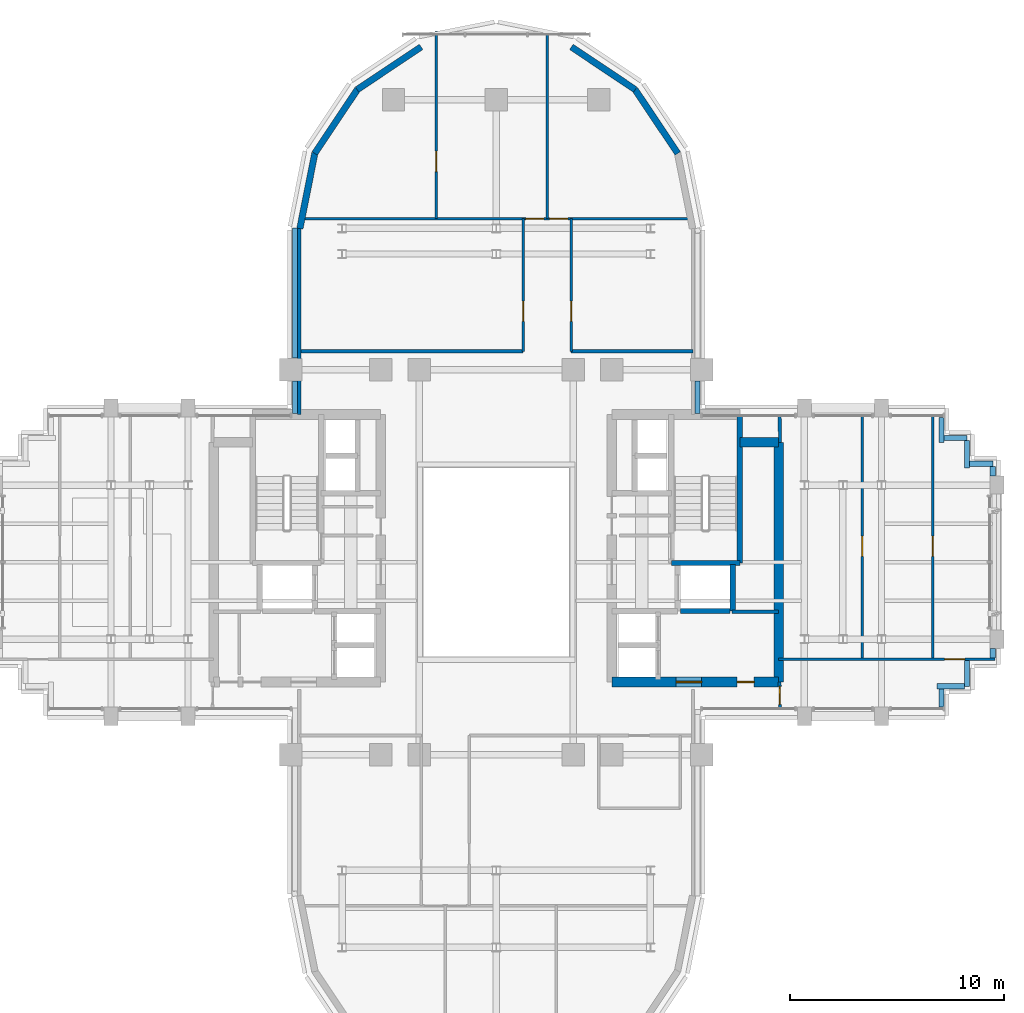
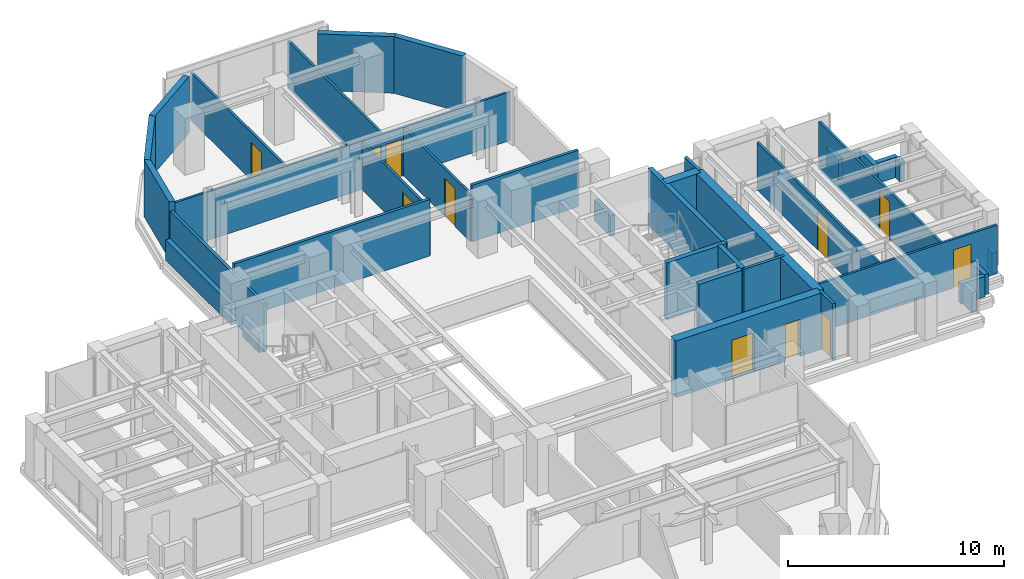
# One storey, part 10 of 14: 38 walls, 11 doors, 11 openings.
"""IFC4 building model written with IfcOpenShell, lengths in metres."""

from ifc_helpers import new_model, si_unit, direction, frame, frame_2d, origin, place, context, subcontext, project, spatial, rectangle, extrude, source, transform, mapped, material, layer, layer_set, type_object, element, fill, save


model = new_model("IFC4")

# Units and contexts
model_context = context("Model", 3, precision=1e-05, world=origin(), true_north=direction((0.0, 1.0)))
body_context = subcontext(model_context, "Body", "Model", "MODEL_VIEW")
ifc_project = project(units=[si_unit("LENGTHUNIT", "METRE"), si_unit("AREAUNIT", "SQUARE_METRE"), si_unit("VOLUMEUNIT", "CUBIC_METRE"), si_unit("PLANEANGLEUNIT", "RADIAN"), si_unit("MASSUNIT", "GRAM", prefix="KILO")], contexts=[model_context])

# Site, building, storey
site_placement = place(None, origin())
site = spatial("IfcSite", under=ifc_project, at=site_placement, CompositionType="ELEMENT")
building_placement = place(site_placement, origin())
building = spatial("IfcBuilding", under=site, at=building_placement, Name="Keilestroom Media Tower", CompositionType="ELEMENT")
storey_placement = place(building_placement, frame((0.0, 0.0, 121.0)))
storey = spatial("IfcBuildingStorey", under=building, at=storey_placement, Name="L32", CompositionType="ELEMENT", Elevation=121.0)

# Walls
ifc_material_1 = material(Name="Precast concrete C40/50", Category="concrete")
ifc_layer_1 = layer(ifc_material_1, 0.300048828125)
ifc_layer_set_1 = layer_set([ifc_layer_1], Name="Precast concrete C40/50")
wall_type_1 = type_object("IfcWallType", Name="Exterior-Masonry-Spandrel-Wall-300", PredefinedType="SOLIDWALL", material=ifc_layer_set_1)
wall_1_placement = place(storey_placement, frame((8.48193359375, 19.097412109375, 0.0), z_axis=(0.0, 0.0, 1.0), x_axis=(-0.555574187116, 0.831466970246, 0.0)))
element("IfcWall", 1, at=wall_1_placement, inside=storey, type_object=wall_type_1, Name="L32 Lobe Facet Precast Frame Wall 02", PredefinedType="SOLIDWALL", context=body_context, shape_type="SweptSolid", body=[
    extrude(rectangle(XDim=3.608642578125, YDim=0.300048828125, at=frame_2d((1.80419921875, 0.0))), origin(), (0.0, 0.0, 1.0), 3.199951171875),
])
for number, where, z_axis, x_axis, name in (
    (2, (6.497802734375, 22.0771484375, 0.0), (0.0, 0.0, 1.0), (-0.8314749531, 0.555562239868, 0.0), "L32 Lobe Facet Precast Frame Wall 03"),
    (3, (-3.510009765625, 24.073486328125, 0.0), (0.0, 0.0, 1.0), (-0.8314749531, -0.555562239868, 0.0), "L32 Lobe Facet Precast Frame Wall 04"),
):
    element("IfcWall", number, at=place(storey_placement, frame(where, z_axis=z_axis, x_axis=x_axis)), inside=storey, type_object=wall_type_1, Name=name, PredefinedType="SOLIDWALL", context=body_context, shape_type="SweptSolid", body=[
        extrude(rectangle(XDim=3.59326171875, YDim=0.300048828125, at=frame_2d((1.796630859375, 0.0))), origin(), (0.0, 0.0, 1.0), 3.199951171875),
    ])
for number, where, z_axis, x_axis, name in (
    (4, (-6.47705078125, 22.097900390625, 0.0), (0.0, 0.0, 1.0), (-0.555574187116, -0.831466970246, 0.0), "L32 Lobe Facet Precast Frame Wall 05"),
    (5, (-8.470703125, 19.12451171875, 0.0), (0.0, 0.0, 1.0), (-0.195114232679, -0.980780523974, 0.0), "L32 Lobe Facet Precast Frame Wall 06"),
):
    element("IfcWall", number, at=place(storey_placement, frame(where, z_axis=z_axis, x_axis=x_axis)), inside=storey, type_object=wall_type_1, Name=name, PredefinedType="SOLIDWALL", context=body_context, shape_type="SweptSolid", body=[
        extrude(rectangle(XDim=3.608642578125, YDim=0.300048828125, at=frame_2d((1.80419921875, 0.0))), origin(), (0.0, 0.0, 1.0), 3.199951171875),
    ])

# Wall, opening, door
ifc_material_2 = material(Name="Gypsum Plasterboard & Steel Stud", Category="steel")
ifc_layer_2 = layer(ifc_material_2, 0.1201171875)
ifc_layer_set_2 = layer_set([ifc_layer_2], Name="Gypsum Plasterboard & Steel Stud")
wall_type_2 = type_object("IfcWallType", Name="Interior-Partition-Wall-120", PredefinedType="PARTITIONING", material=ifc_layer_set_2)
wall_2_placement = place(storey_placement, frame((1.260009765625, 9.85009765625, 0.0), z_axis=(0.0, 0.0, 1.0), x_axis=(0.0, 1.0, 0.0)))
wall_2 = element("IfcWall", 6, at=wall_2_placement, inside=storey, type_object=wall_type_2, Name="L32 Interior Wall WP-L32-NL-SPW", PredefinedType="PARTITIONING", context=body_context, shape_type="SweptSolid", body=[
    extrude(rectangle(XDim=6.199951171875, YDim=0.1201171875, at=frame_2d((3.10009765625, 0.0))), origin(), (0.0, 0.0, 1.0), 2.699951171875),
])
opening_1_placement = place(wall_2_placement, frame((1.39990234375, 0.0, 0.0)))
opening_1 = element("IfcOpeningElement", 7, at=opening_1_placement, cuts=wall_2, Name="Opening DI-03", PredefinedType="OPENING", context=body_context, shape_type="SweptSolid", body=[
    extrude(rectangle(XDim=0.949951171875, YDim=2.14990234375, at=frame_2d((0.47509765625, 1.074951171875))), frame((0.0, 0.070068359375, 0.0), z_axis=(0.0, -1.0, 0.0), x_axis=(1.0, 0.0, 0.0)), (0.0, 0.0, 1.0), 0.14013671875),
])
ifc_material_3 = material(Name="Lacquered European Oak Leaf", Category="wood")
door_type_1 = type_object("IfcDoorType", Name="Interior-Room-And-Suite-Door-DI-03", OperationType="NOTDEFINED", PredefinedType="DOOR", material=ifc_material_3)
shared_shape_1 = source(origin(), body_context, "Body", "SweptSolid", [
    extrude(rectangle(XDim=0.949951171875, YDim=2.14990234375, at=frame_2d((0.47509765625, 1.074951171875))), frame((0.0, 0.02490234375, 0.0), z_axis=(0.0, -1.0, 0.0), x_axis=(1.0, 0.0, 0.0)), (0.0, 0.0, 1.0), 0.050048828125),
])
door_1_placement = place(opening_1_placement, origin())
door_1 = element("IfcDoor", 8, at=door_1_placement, inside=storey, type_object=door_type_1, Name="L32 Interior Door DI-L32-DNL-W1", OperationType="SINGLE_SWING_LEFT", OverallHeight=2.14990234375, OverallWidth=0.949951171875, PredefinedType="DOOR", context=body_context, shape_type="MappedRepresentation", body=[
    mapped(shared_shape_1, transform((0.0, 0.0, 0.0), x_axis=(1.0, 0.0, 0.0), y_axis=(0.0, 1.0, 0.0), z_axis=(0.0, 0.0, 1.0), scale=1.0)),
])
fill(opening_1, door_1)

wall_3_placement = place(storey_placement, frame((3.5, 9.85009765625, 0.0), z_axis=(0.0, 0.0, 1.0), x_axis=(0.0, 1.0, 0.0)))
wall_3 = element("IfcWall", 9, at=wall_3_placement, inside=storey, type_object=wall_type_2, Name="L32 Interior Wall WP-L32-NL-SPE", PredefinedType="PARTITIONING", context=body_context, shape_type="SweptSolid", body=[
    extrude(rectangle(XDim=6.199951171875, YDim=0.1201171875, at=frame_2d((3.10009765625, 0.0))), origin(), (0.0, 0.0, 1.0), 2.699951171875),
])
opening_2_placement = place(wall_3_placement, frame((1.39990234375, 0.0, 0.0)))
opening_2 = element("IfcOpeningElement", 10, at=opening_2_placement, cuts=wall_3, Name="Opening DI-03", PredefinedType="OPENING", context=body_context, shape_type="SweptSolid", body=[
    extrude(rectangle(XDim=0.949951171875, YDim=2.14990234375, at=frame_2d((0.47509765625, 1.074951171875))), frame((0.0, 0.070068359375, 0.0), z_axis=(0.0, -1.0, 0.0), x_axis=(1.0, 0.0, 0.0)), (0.0, 0.0, 1.0), 0.14013671875),
])
door_2_placement = place(opening_2_placement, origin())
door_2 = element("IfcDoor", 11, at=door_2_placement, inside=storey, type_object=door_type_1, Name="L32 Interior Door DI-L32-DNL-E1", OperationType="SINGLE_SWING_RIGHT", OverallHeight=2.14990234375, OverallWidth=0.949951171875, PredefinedType="DOOR", context=body_context, shape_type="MappedRepresentation", body=[
    mapped(shared_shape_1, transform((0.0, 0.0, 0.0), x_axis=(1.0, 0.0, 0.0), y_axis=(0.0, 1.0, 0.0), z_axis=(0.0, 0.0, 1.0), scale=1.0)),
])
fill(opening_2, door_2)

# Wall, openings, doors
wall_4_placement = place(storey_placement, frame((-9.159912109375, 16.050048828125, 0.0), z_axis=(0.0, 0.0, 1.0), x_axis=(1.0, 0.0, 0.0)))
wall_4 = element("IfcWall", 12, at=wall_4_placement, inside=storey, type_object=wall_type_2, Name="L32 Interior Wall WP-L32-NL-NTIPW", PredefinedType="PARTITIONING", context=body_context, shape_type="SweptSolid", body=[
    extrude(rectangle(XDim=18.31982421875, YDim=0.1201171875, at=frame_2d((9.159912109375, 0.0))), origin(), (0.0, 0.0, 1.0), 2.75),
])
opening_3_placement = place(wall_4_placement, frame((10.5400390625, 0.0, 0.0)))
opening_3 = element("IfcOpeningElement", 13, at=opening_3_placement, cuts=wall_4, Name="Opening DI-05", PredefinedType="OPENING", context=body_context, shape_type="SweptSolid", body=[
    extrude(rectangle(XDim=0.85009765625, YDim=2.10009765625, at=frame_2d((0.425048828125, 1.050048828125))), frame((0.0, 0.070068359375, 0.0), z_axis=(0.0, -1.0, 0.0), x_axis=(1.0, 0.0, 0.0)), (0.0, 0.0, 1.0), 0.14013671875),
])
opening_4_placement = place(wall_4_placement, frame((11.659912109375, 0.0, 0.0)))
opening_4 = element("IfcOpeningElement", 14, at=opening_4_placement, cuts=wall_4, Name="Opening DI-05", PredefinedType="OPENING", context=body_context, shape_type="SweptSolid", body=[
    extrude(rectangle(XDim=0.85009765625, YDim=2.10009765625, at=frame_2d((0.425048828125, 1.050048828125))), frame((0.0, 0.070068359375, 0.0), z_axis=(0.0, -1.0, 0.0), x_axis=(1.0, 0.0, 0.0)), (0.0, 0.0, 1.0), 0.14013671875),
])
ifc_material_4 = material(Name="Moisture-Resistant Oak Leaf", Category="wood")
door_type_2 = type_object("IfcDoorType", Name="Interior-En-Suite-And-Cupboard-Door-DI-05", OperationType="NOTDEFINED", PredefinedType="DOOR", material=ifc_material_4)
shared_shape_2 = source(origin(), body_context, "Body", "SweptSolid", [
    extrude(rectangle(XDim=0.85009765625, YDim=2.10009765625, at=frame_2d((0.425048828125, 1.050048828125))), frame((0.0, 0.02490234375, 0.0), z_axis=(0.0, -1.0, 0.0), x_axis=(1.0, 0.0, 0.0)), (0.0, 0.0, 1.0), 0.050048828125),
])
door_3_placement = place(opening_3_placement, origin())
door_3 = element("IfcDoor", 15, at=door_3_placement, inside=storey, type_object=door_type_2, Name="L32 Interior Door DI-L32-DNL-TIP2", OperationType="SINGLE_SWING_RIGHT", OverallHeight=2.10009765625, OverallWidth=0.85009765625, PredefinedType="DOOR", context=body_context, shape_type="MappedRepresentation", body=[
    mapped(shared_shape_2, transform((0.0, 0.0, 0.0), x_axis=(1.0, 0.0, 0.0), y_axis=(0.0, 1.0, 0.0), z_axis=(0.0, 0.0, 1.0), scale=1.0)),
])
fill(opening_3, door_3)
door_4_placement = place(opening_4_placement, origin())
door_4 = element("IfcDoor", 16, at=door_4_placement, inside=storey, type_object=door_type_2, Name="L32 Interior Door DI-L32-DNL-TIP3", OperationType="SINGLE_SWING_LEFT", OverallHeight=2.10009765625, OverallWidth=0.85009765625, PredefinedType="DOOR", context=body_context, shape_type="MappedRepresentation", body=[
    mapped(shared_shape_2, transform((0.0, 0.0, 0.0), x_axis=(1.0, 0.0, 0.0), y_axis=(0.0, 1.0, 0.0), z_axis=(0.0, 0.0, 1.0), scale=1.0)),
])
fill(opening_4, door_4)

# Wall, opening, door
wall_5_placement = place(storey_placement, frame((-2.800048828125, 16.050048828125, 0.0), z_axis=(0.0, 0.0, 1.0), x_axis=(0.0, 1.0, 0.0)))
wall_5 = element("IfcWall", 17, at=wall_5_placement, inside=storey, type_object=wall_type_2, Name="L32 Interior Wall WP-L32-NL-TV1", PredefinedType="PARTITIONING", context=body_context, shape_type="SweptSolid", body=[
    extrude(rectangle(XDim=8.77001953125, YDim=0.1201171875, at=frame_2d((4.385009765625, 0.0))), origin(), (0.0, 0.0, 1.0), 2.699951171875),
])
opening_5_placement = place(wall_5_placement, frame((2.199951171875, 0.0, 0.0)))
opening_5 = element("IfcOpeningElement", 18, at=opening_5_placement, cuts=wall_5, Name="Opening DI-03", PredefinedType="OPENING", context=body_context, shape_type="SweptSolid", body=[
    extrude(rectangle(XDim=0.949951171875, YDim=2.14990234375, at=frame_2d((0.47509765625, 1.074951171875))), frame((0.0, 0.070068359375, 0.0), z_axis=(0.0, -1.0, 0.0), x_axis=(1.0, 0.0, 0.0)), (0.0, 0.0, 1.0), 0.14013671875),
])
door_5_placement = place(opening_5_placement, origin())
door_5 = element("IfcDoor", 19, at=door_5_placement, inside=storey, type_object=door_type_1, Name="L32 Interior Door DI-L32-DNL-TIP1", OperationType="SINGLE_SWING_RIGHT", OverallHeight=2.14990234375, OverallWidth=0.949951171875, PredefinedType="DOOR", context=body_context, shape_type="MappedRepresentation", body=[
    mapped(shared_shape_1, transform((0.0, 0.0, 0.0), x_axis=(1.0, 0.0, 0.0), y_axis=(0.0, 1.0, 0.0), z_axis=(0.0, 0.0, 1.0), scale=1.0)),
])
fill(opening_5, door_5)

# Wall
wall_6_placement = place(storey_placement, frame((2.3798828125, 16.050048828125, 0.0), z_axis=(0.0, 0.0, 1.0), x_axis=(0.0, 1.0, 0.0)))
element("IfcWall", 20, at=wall_6_placement, inside=storey, type_object=wall_type_2, Name="L32 Interior Wall WP-L32-NL-TV2", PredefinedType="PARTITIONING", context=body_context, shape_type="SweptSolid", body=[
    extrude(rectangle(XDim=8.77001953125, YDim=0.1201171875, at=frame_2d((4.385009765625, 0.0))), origin(), (0.0, 0.0, 1.0), 2.699951171875),
])

# Wall, opening, door
wall_7_placement = place(storey_placement, frame((13.199951171875, -4.530029296875, 0.0), z_axis=(0.0, 0.0, 1.0), x_axis=(1.0, 0.0, 0.0)))
wall_7 = element("IfcWall", 21, at=wall_7_placement, inside=storey, type_object=wall_type_2, Name="L32 Interior Wall WP-L32-EA-CN", PredefinedType="PARTITIONING", context=body_context, shape_type="SweptSolid", body=[
    extrude(rectangle(XDim=10.10009765625, YDim=0.1201171875, at=frame_2d((5.050048828125, 0.0))), origin(), (0.0, 0.0, 1.0), 2.75),
])
opening_6_placement = place(wall_7_placement, frame((7.75, 0.0, 0.0)))
opening_6 = element("IfcOpeningElement", 22, at=opening_6_placement, cuts=wall_7, Name="Opening DI-03", PredefinedType="OPENING", context=body_context, shape_type="SweptSolid", body=[
    extrude(rectangle(XDim=0.949951171875, YDim=2.14990234375, at=frame_2d((0.47509765625, 1.074951171875))), frame((0.0, 0.070068359375, 0.0), z_axis=(0.0, -1.0, 0.0), x_axis=(1.0, 0.0, 0.0)), (0.0, 0.0, 1.0), 0.14013671875),
])
door_6_placement = place(opening_6_placement, origin())
door_6 = element("IfcDoor", 23, at=door_6_placement, inside=storey, type_object=door_type_1, Name="L32 Interior Door DI-L32-DEA-RN3", OperationType="SINGLE_SWING_RIGHT", OverallHeight=2.14990234375, OverallWidth=0.949951171875, PredefinedType="DOOR", context=body_context, shape_type="MappedRepresentation", body=[
    mapped(shared_shape_1, transform((0.0, 0.0, 0.0), x_axis=(1.0, 0.0, 0.0), y_axis=(0.0, 1.0, 0.0), z_axis=(0.0, 0.0, 1.0), scale=1.0)),
])
fill(opening_6, door_6)

wall_8_placement = place(storey_placement, frame((17.10009765625, -4.530029296875, 0.0), z_axis=(0.0, 0.0, 1.0), x_axis=(0.0, 1.0, 0.0)))
wall_8 = element("IfcWall", 24, at=wall_8_placement, inside=storey, type_object=wall_type_2, Name="L32 Interior Wall WP-L32-EA-VM1", PredefinedType="PARTITIONING", context=body_context, shape_type="SweptSolid", body=[
    extrude(rectangle(XDim=11.380126953125, YDim=0.1201171875, at=frame_2d((5.68994140625, 0.0))), origin(), (0.0, 0.0, 1.0), 2.699951171875),
])
opening_7_placement = place(wall_8_placement, frame((4.800048828125, 0.0, 0.0)))
opening_7 = element("IfcOpeningElement", 25, at=opening_7_placement, cuts=wall_8, Name="Opening DI-03", PredefinedType="OPENING", context=body_context, shape_type="SweptSolid", body=[
    extrude(rectangle(XDim=0.949951171875, YDim=2.14990234375, at=frame_2d((0.47509765625, 1.074951171875))), frame((0.0, 0.070068359375, 0.0), z_axis=(0.0, -1.0, 0.0), x_axis=(1.0, 0.0, 0.0)), (0.0, 0.0, 1.0), 0.14013671875),
])
door_7_placement = place(opening_7_placement, origin())
door_7 = element("IfcDoor", 26, at=door_7_placement, inside=storey, type_object=door_type_1, Name="L32 Interior Door DI-L32-DEA-RN1", OperationType="SINGLE_SWING_RIGHT", OverallHeight=2.14990234375, OverallWidth=0.949951171875, PredefinedType="DOOR", context=body_context, shape_type="MappedRepresentation", body=[
    mapped(shared_shape_1, transform((0.0, 0.0, 0.0), x_axis=(1.0, 0.0, 0.0), y_axis=(0.0, 1.0, 0.0), z_axis=(0.0, 0.0, 1.0), scale=1.0)),
])
fill(opening_7, door_7)

wall_9_placement = place(storey_placement, frame((20.39990234375, -4.530029296875, 0.0), z_axis=(0.0, 0.0, 1.0), x_axis=(0.0, 1.0, 0.0)))
wall_9 = element("IfcWall", 27, at=wall_9_placement, inside=storey, type_object=wall_type_2, Name="L32 Interior Wall WP-L32-EA-VM2", PredefinedType="PARTITIONING", context=body_context, shape_type="SweptSolid", body=[
    extrude(rectangle(XDim=11.380126953125, YDim=0.1201171875, at=frame_2d((5.68994140625, 0.0))), origin(), (0.0, 0.0, 1.0), 2.699951171875),
])
opening_8_placement = place(wall_9_placement, frame((4.800048828125, 0.0, 0.0)))
opening_8 = element("IfcOpeningElement", 28, at=opening_8_placement, cuts=wall_9, Name="Opening DI-03", PredefinedType="OPENING", context=body_context, shape_type="SweptSolid", body=[
    extrude(rectangle(XDim=0.949951171875, YDim=2.14990234375, at=frame_2d((0.47509765625, 1.074951171875))), frame((0.0, 0.070068359375, 0.0), z_axis=(0.0, -1.0, 0.0), x_axis=(1.0, 0.0, 0.0)), (0.0, 0.0, 1.0), 0.14013671875),
])
door_8_placement = place(opening_8_placement, origin())
door_8 = element("IfcDoor", 29, at=door_8_placement, inside=storey, type_object=door_type_1, Name="L32 Interior Door DI-L32-DEA-RN2", OperationType="SINGLE_SWING_LEFT", OverallHeight=2.14990234375, OverallWidth=0.949951171875, PredefinedType="DOOR", context=body_context, shape_type="MappedRepresentation", body=[
    mapped(shared_shape_1, transform((0.0, 0.0, 0.0), x_axis=(1.0, 0.0, 0.0), y_axis=(0.0, 1.0, 0.0), z_axis=(0.0, 0.0, 1.0), scale=1.0)),
])
fill(opening_8, door_8)

# Walls
ifc_layer_3 = layer(ifc_material_2, 0.14990234375)
ifc_layer_set_3 = layer_set([ifc_layer_3], Name="Gypsum Plasterboard & Steel Stud")
wall_type_3 = type_object("IfcWallType", Name="Interior-Partition-Wall-150", PredefinedType="PARTITIONING", material=ifc_layer_set_3)
wall_10_placement = place(storey_placement, frame((11.02001953125, -2.320068359375, 0.0), z_axis=(0.0, 0.0, 1.0), x_axis=(1.0, 0.0, 0.0)))
element("IfcWall", 30, at=wall_10_placement, inside=storey, type_object=wall_type_3, Name="L32 Interior Wall WP-L32-RECLE-N", PredefinedType="PARTITIONING", context=body_context, shape_type="SweptSolid", body=[
    extrude(rectangle(XDim=2.179931640625, YDim=0.14990234375, at=frame_2d((1.08984375, 0.0))), origin(), (0.0, 0.0, 1.0), 3.199951171875),
])
wall_11_placement = place(storey_placement, frame((-9.199951171875, 6.89990234375, 0.0), z_axis=(0.0, 0.0, 1.0), x_axis=(0.0, 1.0, 0.0)))
element("IfcWall", 31, at=wall_11_placement, inside=storey, type_object=wall_type_3, Name="L32 Interior Wall WP-L32-NL-CHKW", PredefinedType="PARTITIONING", context=body_context, shape_type="SweptSolid", body=[
    extrude(rectangle(XDim=8.780029296875, YDim=0.14990234375, at=frame_2d((4.39013671875, 0.0))), origin(), (0.0, 0.0, 1.0), 2.699951171875),
])
wall_12_placement = place(storey_placement, frame((-9.199951171875, 9.85009765625, 0.0), z_axis=(0.0, 0.0, 1.0), x_axis=(1.0, 0.0, 0.0)))
element("IfcWall", 32, at=wall_12_placement, inside=storey, type_object=wall_type_3, Name="L32 Interior Wall WP-L32-NL-BASE-W", PredefinedType="PARTITIONING", context=body_context, shape_type="SweptSolid", body=[
    extrude(rectangle(XDim=10.4599609375, YDim=0.14990234375, at=frame_2d((5.22998046875, 0.0))), origin(), (0.0, 0.0, 1.0), 3.199951171875),
])
wall_13_placement = place(storey_placement, frame((3.5, 9.85009765625, 0.0), z_axis=(0.0, 0.0, 1.0), x_axis=(1.0, 0.0, 0.0)))
element("IfcWall", 33, at=wall_13_placement, inside=storey, type_object=wall_type_3, Name="L32 Interior Wall WP-L32-NL-BASE-E", PredefinedType="PARTITIONING", context=body_context, shape_type="SweptSolid", body=[
    extrude(rectangle(XDim=5.699951171875, YDim=0.14990234375, at=frame_2d((2.85009765625, 0.0))), origin(), (0.0, 0.0, 1.0), 3.199951171875),
])
wall_14_placement = place(storey_placement, frame((13.260009765625, 5.60009765625, 0.0), z_axis=(0.0, 0.0, 1.0), x_axis=(-0.016013571389, 0.999871774545, 0.0)))
element("IfcWall", 34, at=wall_14_placement, inside=storey, type_object=wall_type_3, Name="L32 Interior Wall WP-L32-EA-ENTN", PredefinedType="PARTITIONING", context=body_context, shape_type="SweptSolid", body=[
    extrude(rectangle(XDim=1.250244140625, YDim=0.14990234375, at=frame_2d((0.625, 0.0))), origin(), (0.0, 0.0, 1.0), 3.199951171875),
])

# Wall, opening, door
wall_15_placement = place(storey_placement, frame((13.260009765625, -6.85009765625, 0.0), z_axis=(0.0, 0.0, 1.0), x_axis=(-0.016013571389, 0.999871774545, 0.0)))
wall_15 = element("IfcWall", 35, at=wall_15_placement, inside=storey, type_object=wall_type_3, Name="L32 Interior Wall WP-L32-EA-ENTS", PredefinedType="PARTITIONING", context=body_context, shape_type="SweptSolid", body=[
    extrude(rectangle(XDim=1.250244140625, YDim=0.14990234375, at=frame_2d((0.625, 0.0))), origin(), (0.0, 0.0, 1.0), 3.199951171875),
])
opening_9_placement = place(wall_15_placement, frame((0.199951171875, 0.0, 0.0)))
opening_9 = element("IfcOpeningElement", 36, at=opening_9_placement, cuts=wall_15, Name="Opening DI-05", PredefinedType="OPENING", context=body_context, shape_type="SweptSolid", body=[
    extrude(rectangle(XDim=0.85009765625, YDim=2.10009765625, at=frame_2d((0.425048828125, 1.050048828125))), frame((0.0, 0.0849609375, 0.0), z_axis=(0.0, -1.0, 0.0), x_axis=(1.0, 0.0, 0.0)), (0.0, 0.0, 1.0), 0.169921875),
])
door_9_placement = place(opening_9_placement, origin())
door_9 = element("IfcDoor", 37, at=door_9_placement, inside=storey, type_object=door_type_2, Name="L32 Interior Door DI-L32-DEA-ENTS", OperationType="SINGLE_SWING_RIGHT", OverallHeight=2.10009765625, OverallWidth=0.85009765625, PredefinedType="DOOR", context=body_context, shape_type="MappedRepresentation", body=[
    mapped(shared_shape_2, transform((0.0, 0.0, 0.0), x_axis=(1.0, 0.0, 0.0), y_axis=(0.0, 1.0, 0.0), z_axis=(0.0, 0.0, 1.0), scale=1.0)),
])
fill(opening_9, door_9)

# Walls
ifc_material_5 = material(Name="Concrete C55/67", Category="concrete")
ifc_layer_4 = layer(ifc_material_5, 0.449951171875)
ifc_layer_set_4 = layer_set([ifc_layer_4], Name="Concrete C55/67")
wall_type_4 = type_object("IfcWallType", Name="Reinforced-Concrete-Core-Shear-Wall-450", PredefinedType="SHEAR", material=ifc_layer_set_4)
wall_16_placement = place(storey_placement, frame((13.199951171875, -5.60009765625, 0.0), z_axis=(0.0, 0.0, 1.0), x_axis=(0.0, 1.0, 0.0)))
element("IfcWall", 38, at=wall_16_placement, inside=storey, type_object=wall_type_4, Name="L32 Core Shear Wall WL-L32-CORE-E-OUT", PredefinedType="SHEAR", context=body_context, shape_type="SweptSolid", body=[
    extrude(rectangle(XDim=11.2001953125, YDim=0.449951171875, at=frame_2d((5.60009765625, 0.0))), origin(), (0.0, 0.0, 1.0), 3.199951171875),
])
wall_17_placement = place(storey_placement, frame((11.381103515625, 5.60009765625, 0.0), z_axis=(0.0, 0.0, 1.0), x_axis=(1.0, 0.0, 0.0)))
element("IfcWall", 39, at=wall_17_placement, inside=storey, type_object=wall_type_4, Name="L32 Core Shear Wall WL-L32-CNE-N", PredefinedType="SHEAR", context=body_context, shape_type="SweptSolid", body=[
    extrude(rectangle(XDim=1.81884765625, YDim=0.449951171875, at=frame_2d((0.909423828125, 0.0))), origin(), (0.0, 0.0, 1.0), 3.199951171875),
])

# Wall, openings, doors
wall_18_placement = place(storey_placement, frame((5.39990234375, -5.60009765625, 0.0), z_axis=(0.0, 0.0, 1.0), x_axis=(1.0, 0.0, 0.0)))
wall_18 = element("IfcWall", 40, at=wall_18_placement, inside=storey, type_object=wall_type_4, Name="L32 Core Shear Wall WL-L32-CORE-E-S", PredefinedType="SHEAR", context=body_context, shape_type="SweptSolid", body=[
    extrude(rectangle(XDim=7.800048828125, YDim=0.449951171875, at=frame_2d((3.89990234375, 0.0))), origin(), (0.0, 0.0, 1.0), 3.199951171875),
])
opening_10_placement = place(wall_18_placement, frame((3.0, 0.0, 0.0)))
opening_10 = element("IfcOpeningElement", 41, at=opening_10_placement, cuts=wall_18, Name="Opening DI-02", PredefinedType="OPENING", context=body_context, shape_type="SweptSolid", body=[
    extrude(rectangle(XDim=1.199951171875, YDim=2.199951171875, at=frame_2d((0.60009765625, 1.10009765625))), frame((0.0, 0.23486328125, 0.0), z_axis=(0.0, -1.0, 0.0), x_axis=(1.0, 0.0, 0.0)), (0.0, 0.0, 1.0), 0.469970703125),
])
opening_11_placement = place(wall_18_placement, frame((5.85009765625, 0.0, 0.0)))
opening_11 = element("IfcOpeningElement", 42, at=opening_11_placement, cuts=wall_18, Name="Opening DI-06", PredefinedType="OPENING", context=body_context, shape_type="SweptSolid", body=[
    extrude(rectangle(XDim=0.800048828125, YDim=2.10009765625, at=frame_2d((0.39990234375, 1.050048828125))), frame((0.0, 0.23486328125, 0.0), z_axis=(0.0, -1.0, 0.0), x_axis=(1.0, 0.0, 0.0)), (0.0, 0.0, 1.0), 0.469970703125),
])
ifc_material_6 = material(Name="Powder-Coated Steel Fire Leaf", Category="steel")
door_type_3 = type_object("IfcDoorType", Name="Interior-Compartment-Fire-Door-DI-02", OperationType="NOTDEFINED", PredefinedType="DOOR", material=ifc_material_6)
shared_shape_3 = source(origin(), body_context, "Body", "SweptSolid", [
    extrude(rectangle(XDim=1.199951171875, YDim=2.199951171875, at=frame_2d((0.60009765625, 1.10009765625))), frame((0.0, 0.02490234375, 0.0), z_axis=(0.0, -1.0, 0.0), x_axis=(1.0, 0.0, 0.0)), (0.0, 0.0, 1.0), 0.050048828125),
])
door_10_placement = place(opening_10_placement, origin())
door_10 = element("IfcDoor", 43, at=door_10_placement, inside=storey, type_object=door_type_3, Name="L32 E Passenger Lift Lobby Door", OperationType="SINGLE_SWING_RIGHT", OverallHeight=2.199951171875, OverallWidth=1.199951171875, PredefinedType="DOOR", context=body_context, shape_type="MappedRepresentation", body=[
    mapped(shared_shape_3, transform((0.0, 0.0, 0.0), x_axis=(1.0, 0.0, 0.0), y_axis=(0.0, 1.0, 0.0), z_axis=(0.0, 0.0, 1.0), scale=1.0)),
])
fill(opening_10, door_10)
ifc_material_7 = material(Name="Powder-Coated Steel Service Leaf", Category="steel")
door_type_4 = type_object("IfcDoorType", Name="Interior-Riser-Access-Door-DI-06", OperationType="NOTDEFINED", PredefinedType="DOOR", material=ifc_material_7)
shared_shape_4 = source(origin(), body_context, "Body", "SweptSolid", [
    extrude(rectangle(XDim=0.800048828125, YDim=2.10009765625, at=frame_2d((0.39990234375, 1.050048828125))), frame((0.0, 0.02490234375, 0.0), z_axis=(0.0, -1.0, 0.0), x_axis=(1.0, 0.0, 0.0)), (0.0, 0.0, 1.0), 0.050048828125),
])
door_11_placement = place(opening_11_placement, origin())
door_11 = element("IfcDoor", 44, at=door_11_placement, inside=storey, type_object=door_type_4, Name="L32 Reclaimed East Core Room Door", OperationType="SINGLE_SWING_RIGHT", OverallHeight=2.10009765625, OverallWidth=0.800048828125, PredefinedType="DOOR", context=body_context, shape_type="MappedRepresentation", body=[
    mapped(shared_shape_4, transform((0.0, 0.0, 0.0), x_axis=(1.0, 0.0, 0.0), y_axis=(0.0, 1.0, 0.0), z_axis=(0.0, 0.0, 1.0), scale=1.0)),
])
fill(opening_11, door_11)

# Walls
ifc_material_8 = material(Name="Concrete C50/60", Category="concrete")
ifc_layer_5 = layer(ifc_material_8, 0.25)
ifc_layer_set_5 = layer_set([ifc_layer_5], Name="Concrete C50/60")
wall_type_5 = type_object("IfcWallType", Name="Reinforced-Concrete-Shaft-Wall-250", PredefinedType="SOLIDWALL", material=ifc_layer_set_5)
wall_19_placement = place(storey_placement, frame((11.381103515625, -0.041015625, 0.0), z_axis=(0.0, 0.0, 1.0), x_axis=(0.0, 1.0, 0.0)))
element("IfcWall", 45, at=wall_19_placement, inside=storey, type_object=wall_type_5, Name="L32 Core Shear Wall WL-L32-STW-E-FAR", PredefinedType="SOLIDWALL", context=body_context, shape_type="SweptSolid", body=[
    extrude(rectangle(XDim=6.94091796875, YDim=0.25, at=frame_2d((3.470458984375, 0.0))), origin(), (0.0, 0.0, 1.0), 3.199951171875),
])
wall_20_placement = place(storey_placement, frame((8.178955078125, -0.041015625, 0.0), z_axis=(0.0, 0.0, 1.0), x_axis=(1.0, 0.0, 0.0)))
element("IfcWall", 46, at=wall_20_placement, inside=storey, type_object=wall_type_5, Name="L32 Core Shear Wall WL-L32-STW-E-S", PredefinedType="SOLIDWALL", context=body_context, shape_type="SweptSolid", body=[
    extrude(rectangle(XDim=3.2021484375, YDim=0.25, at=frame_2d((1.60107421875, 0.0))), origin(), (0.0, 0.0, 1.0), 3.199951171875),
])
wall_21_placement = place(storey_placement, frame((11.050048828125, -2.280029296875, 0.0), z_axis=(0.0, 0.0, 1.0), x_axis=(0.0, 1.0, 0.0)))
element("IfcWall", 47, at=wall_21_placement, inside=storey, type_object=wall_type_5, Name="L32 Core Shear Wall WL-L32-LSH-FFL-2-E", PredefinedType="SOLIDWALL", context=body_context, shape_type="SweptSolid", body=[
    extrude(rectangle(XDim=2.179931640625, YDim=0.25, at=frame_2d((1.08984375, 0.0))), origin(), (0.0, 0.0, 1.0), 3.199951171875),
])
wall_22_placement = place(storey_placement, frame((8.60888671875, -2.280029296875, 0.0), z_axis=(0.0, 0.0, 1.0), x_axis=(1.0, 0.0, 0.0)))
element("IfcWall", 48, at=wall_22_placement, inside=storey, type_object=wall_type_5, Name="L32 Core Shear Wall WL-L32-LSH-FFL-2-S", PredefinedType="SOLIDWALL", context=body_context, shape_type="SweptSolid", body=[
    extrude(rectangle(XDim=2.31201171875, YDim=0.25, at=frame_2d((1.156005859375, 0.0))), origin(), (0.0, 0.0, 1.0), 3.199951171875),
])
ifc_layer_6 = layer(ifc_material_1, 0.239990234375)
ifc_layer_set_6 = layer_set([ifc_layer_6], Name="Precast concrete C40/50")
wall_type_6 = type_object("IfcWallType", Name="Roof-And-Terrace-Parapet-Wall-240", PredefinedType="PARAPET", material=ifc_layer_set_6)
wall_23_placement = place(storey_placement, frame((22.0, -4.593017578125, 0.0), z_axis=(0.0, 0.0, 1.0), x_axis=(0.0, -1.0, 0.0)))
element("IfcWall", 49, at=wall_23_placement, inside=storey, type_object=wall_type_6, Name="L32 Perimeter Edge Parapet Wall 01", PredefinedType="PARAPET", context=body_context, shape_type="SweptSolid", body=[
    extrude(rectangle(XDim=1.20703125, YDim=0.239990234375, at=frame_2d((0.603515625, 0.0))), origin(), (0.0, 0.0, 1.0), 1.14990234375),
])
wall_24_placement = place(storey_placement, frame((21.876953125, -5.800048828125, 0.0), z_axis=(0.0, 0.0, 1.0), x_axis=(-1.0, 0.0, 0.0)))
element("IfcWall", 50, at=wall_24_placement, inside=storey, type_object=wall_type_6, Name="L32 Perimeter Edge Parapet Wall 02", PredefinedType="PARAPET", context=body_context, shape_type="SweptSolid", body=[
    extrude(rectangle(XDim=1.27685546875, YDim=0.239990234375, at=frame_2d((0.638427734375, 0.0))), origin(), (0.0, 0.0, 1.0), 1.14990234375),
])
wall_25_placement = place(storey_placement, frame((20.800048828125, -5.923095703125, 0.0), z_axis=(0.0, 0.0, 1.0), x_axis=(0.0, -1.0, 0.0)))
element("IfcWall", 51, at=wall_25_placement, inside=storey, type_object=wall_type_6, Name="L32 Perimeter Edge Parapet Wall 03", PredefinedType="PARAPET", context=body_context, shape_type="SweptSolid", body=[
    extrude(rectangle(XDim=0.833984375, YDim=0.239990234375, at=frame_2d((0.4169921875, 0.0))), origin(), (0.0, 0.0, 1.0), 1.14990234375),
])
wall_26_placement = place(storey_placement, frame((-9.39990234375, 6.952880859375, 0.0), z_axis=(0.0, 0.0, 1.0), x_axis=(0.0, 1.0, 0.0)))
element("IfcWall", 52, at=wall_26_placement, inside=storey, type_object=wall_type_6, Name="L32 Perimeter Edge Parapet Wall 19", PredefinedType="PARAPET", context=body_context, shape_type="SweptSolid", body=[
    extrude(rectangle(XDim=1.51904296875, YDim=0.239990234375, at=frame_2d((0.759521484375, 0.0))), origin(), (0.0, 0.0, 1.0), 1.14990234375),
])
wall_27_placement = place(storey_placement, frame((-9.39990234375, 9.528076171875, 0.0), z_axis=(0.0, 0.0, 1.0), x_axis=(0.0, 1.0, 0.0)))
element("IfcWall", 53, at=wall_27_placement, inside=storey, type_object=wall_type_6, Name="L32 Perimeter Edge Parapet Wall 20", PredefinedType="PARAPET", context=body_context, shape_type="SweptSolid", body=[
    extrude(rectangle(XDim=6.07470703125, YDim=0.239990234375, at=frame_2d((3.037353515625, 0.0))), origin(), (0.0, 0.0, 1.0), 1.14990234375),
])
wall_28_placement = place(storey_placement, frame((9.39990234375, 8.471923828125, 0.0), z_axis=(0.0, 0.0, 1.0), x_axis=(0.0, -1.0, 0.0)))
element("IfcWall", 54, at=wall_28_placement, inside=storey, type_object=wall_type_6, Name="L32 Perimeter Edge Parapet Wall 23", PredefinedType="PARAPET", context=body_context, shape_type="SweptSolid", body=[
    extrude(rectangle(XDim=1.51904296875, YDim=0.239990234375, at=frame_2d((0.759521484375, 0.0))), origin(), (0.0, 0.0, 1.0), 1.14990234375),
])
wall_29_placement = place(storey_placement, frame((20.800048828125, 6.757080078125, 0.0), z_axis=(0.0, 0.0, 1.0), x_axis=(0.0, -1.0, 0.0)))
element("IfcWall", 55, at=wall_29_placement, inside=storey, type_object=wall_type_6, Name="L32 Perimeter Edge Parapet Wall 24", PredefinedType="PARAPET", context=body_context, shape_type="SweptSolid", body=[
    extrude(rectangle(XDim=1.156982421875, YDim=0.239990234375, at=frame_2d((0.57861328125, 0.0))), origin(), (0.0, 0.0, 1.0), 1.14990234375),
])
wall_30_placement = place(storey_placement, frame((20.923095703125, 5.800048828125, 0.0), z_axis=(0.0, 0.0, 1.0), x_axis=(1.0, 0.0, 0.0)))
element("IfcWall", 56, at=wall_30_placement, inside=storey, type_object=wall_type_6, Name="L32 Perimeter Edge Parapet Wall 25", PredefinedType="PARAPET", context=body_context, shape_type="SweptSolid", body=[
    extrude(rectangle(XDim=1.076904296875, YDim=0.239990234375, at=frame_2d((0.53857421875, 0.0))), origin(), (0.0, 0.0, 1.0), 1.14990234375),
])
wall_31_placement = place(storey_placement, frame((22.0, 5.677001953125, 0.0), z_axis=(0.0, 0.0, 1.0), x_axis=(0.0, -1.0, 0.0)))
element("IfcWall", 57, at=wall_31_placement, inside=storey, type_object=wall_type_6, Name="L32 Perimeter Edge Parapet Wall 26", PredefinedType="PARAPET", context=body_context, shape_type="SweptSolid", body=[
    extrude(rectangle(XDim=1.277099609375, YDim=0.239990234375, at=frame_2d((0.638671875, 0.0))), origin(), (0.0, 0.0, 1.0), 1.14990234375),
])
wall_32_placement = place(storey_placement, frame((22.123046875, 4.60009765625, 0.0), z_axis=(0.0, 0.0, 1.0), x_axis=(1.0, 0.0, 0.0)))
element("IfcWall", 58, at=wall_32_placement, inside=storey, type_object=wall_type_6, Name="L32 Perimeter Edge Parapet Wall 27", PredefinedType="PARAPET", context=body_context, shape_type="SweptSolid", body=[
    extrude(rectangle(XDim=1.076904296875, YDim=0.239990234375, at=frame_2d((0.53857421875, 0.0))), origin(), (0.0, 0.0, 1.0), 1.14990234375),
])
wall_33_placement = place(storey_placement, frame((23.199951171875, 4.47705078125, 0.0), z_axis=(0.0, 0.0, 1.0), x_axis=(0.0, -1.0, 0.0)))
element("IfcWall", 59, at=wall_33_placement, inside=storey, type_object=wall_type_6, Name="L32 Perimeter Edge Parapet Wall 28", PredefinedType="PARAPET", context=body_context, shape_type="SweptSolid", body=[
    extrude(rectangle(XDim=0.448974609375, YDim=0.239990234375, at=frame_2d((0.224609375, 0.0))), origin(), (0.0, 0.0, 1.0), 1.14990234375),
])
wall_34_placement = place(storey_placement, frame((23.199951171875, -4.028076171875, 0.0), z_axis=(0.0, 0.0, 1.0), x_axis=(0.0, -1.0, 0.0)))
element("IfcWall", 60, at=wall_34_placement, inside=storey, type_object=wall_type_6, Name="L32 Perimeter Edge Parapet Wall 29", PredefinedType="PARAPET", context=body_context, shape_type="SweptSolid", body=[
    extrude(rectangle(XDim=0.43896484375, YDim=0.239990234375, at=frame_2d((0.219482421875, 0.0))), origin(), (0.0, 0.0, 1.0), 1.14990234375),
])

save(model, "model.ifc")
